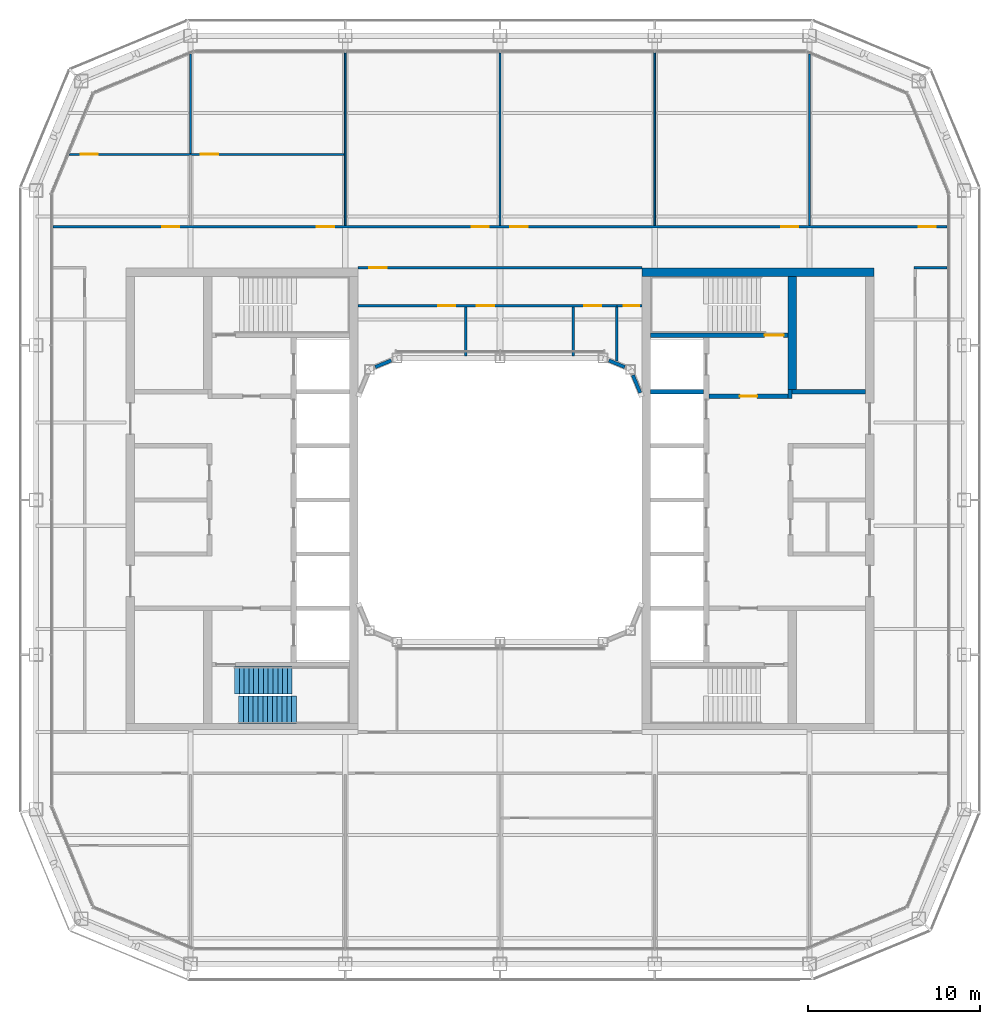
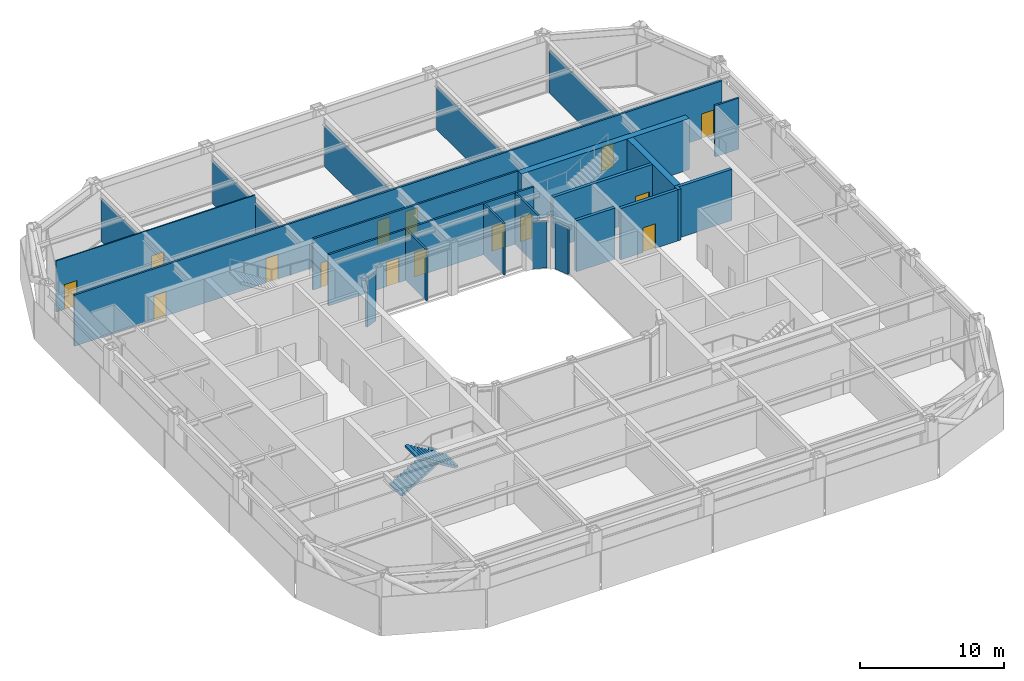
# One storey, part 14 of 19: 24 walls, 15 doors, 2 stair flights, 15 openings, 1 element without a shape of its own.
"""IFC4 building model written with IfcOpenShell, lengths in metres."""

import ifcopenshell
import ifcopenshell.guid

model = None  # the IFC model being written
_history = None  # IfcOwnerHistory: only IFC2X3 demands one
_inside = {}  # id of a spatial element -> (the spatial element, [elements in it])
_under = {}  # id of a project, library or spatial element -> (it, [spatial elements below it])
_declared = {}  # id of a project -> (the project, [libraries it declares])
_typed = {}  # id of a type object -> (the type object, [elements of that type])
_made_of = {}  # id of a material, layer set ... -> (it, [elements and type objects made of it])


def new_model(schema):
    """Start an empty IFC model of exactly this schema.

    Asked for "IFC4X3", IfcOpenShell would pick the latest addendum, in which some entities
    have other attributes; the version numbers below select the first issue.
    IFC2X3 requires an IfcOwnerHistory on every rooted entity: one is made here for all.
    """
    global model, _history
    if schema == "IFC4X3":
        model = ifcopenshell.file(schema_version=(4, 3, 0, 0))
    else:
        model = ifcopenshell.file(schema=schema)
    _inside.clear()
    _under.clear()
    _declared.clear()
    _typed.clear()
    _made_of.clear()
    _history = None
    if model.schema == "IFC2X3":
        org = make("IfcOrganization", Name="unknown")
        user = make(
            "IfcPersonAndOrganization",
            ThePerson=make("IfcPerson", FamilyName="unknown"),
            TheOrganization=org,
        )
        app = make(
            "IfcApplication",
            ApplicationDeveloper=org,
            Version="unknown",
            ApplicationFullName="unknown",
            ApplicationIdentifier="unknown",
        )
        _history = make(
            "IfcOwnerHistory",
            OwningUser=user,
            OwningApplication=app,
            ChangeAction="ADDED",
            CreationDate=0,
        )
    return model


def make(cls, **values):
    """One entity of the class cls with the attributes given. An attribute that is None is left unset."""
    return model.create_entity(
        cls, **{name: value for name, value in values.items() if value is not None}
    )


def rooted(cls, **values):
    """An entity with a GlobalId (a new one), such as an element, a storey or a relation."""
    return make(cls, GlobalId=ifcopenshell.guid.new(), OwnerHistory=_history, **values)


def si_unit(unit_type, name, prefix=None):
    """IfcSIUnit, for example si_unit("LENGTHUNIT", "METRE", prefix="MILLI")."""
    return make("IfcSIUnit", UnitType=unit_type, Prefix=prefix, Name=name)


def assignment(units):
    """IfcUnitAssignment: the units of a project."""
    return None if units is None else make("IfcUnitAssignment", Units=units)


def point(xyz):
    """IfcCartesianPoint."""
    return None if xyz is None else make("IfcCartesianPoint", Coordinates=xyz)


def direction(xyz):
    """IfcDirection."""
    return None if xyz is None else make("IfcDirection", DirectionRatios=xyz)


def frame(location, z_axis=None, x_axis=None):
    """IfcAxis2Placement3D, a coordinate frame: its origin and axes. An axis left out is left unset."""
    return make(
        "IfcAxis2Placement3D",
        Location=point(location),
        Axis=direction(z_axis),
        RefDirection=direction(x_axis),
    )


def frame_2d(location, x_axis=None):
    """IfcAxis2Placement2D, a coordinate frame in the plane: its origin and x axis."""
    return make(
        "IfcAxis2Placement2D", Location=point(location), RefDirection=direction(x_axis)
    )


def origin():
    """The frame at (0, 0, 0) with its axes left unset."""
    return frame((0.0, 0.0, 0.0))


def place(relative_to, where):
    """IfcLocalPlacement: puts the frame where relative to a parent placement (None: the world)."""
    return make(
        "IfcLocalPlacement", PlacementRelTo=relative_to, RelativePlacement=where
    )


def context(
    kind, dimensions, precision=None, world=None, true_north=None, identifier=None
):
    """IfcGeometricRepresentationContext, for example the 3D "Model" context."""
    return make(
        "IfcGeometricRepresentationContext",
        ContextIdentifier=identifier,
        ContextType=kind,
        CoordinateSpaceDimension=dimensions,
        Precision=precision,
        WorldCoordinateSystem=world,
        TrueNorth=true_north,
    )


def subcontext(parent, identifier, kind, view, scale=None):
    """IfcGeometricRepresentationSubContext, for example "Body" below "Model"."""
    return make(
        "IfcGeometricRepresentationSubContext",
        ContextIdentifier=identifier,
        ContextType=kind,
        ParentContext=parent,
        TargetScale=scale,
        TargetView=view,
    )


def project(units=None, contexts=None):
    """IfcProject with its units and contexts."""
    return rooted(
        "IfcProject",
        Name="project",
        RepresentationContexts=contexts,
        UnitsInContext=assignment(units),
    )


def spatial(cls, under=None, at=None, **own):
    """A site, building, storey or space (cls), placed at a placement, below another one or the project."""
    s = rooted(cls, ObjectPlacement=at, **own)
    if under is not None:
        _under.setdefault(under.id(), (under, []))[1].append(s)
    return s


def polyline(points):
    """IfcPolyline through the points."""
    return make("IfcPolyline", Points=[point(p) for p in points])


def profile(cls, at=None, kind="AREA", **sizes):
    """A parametric profile (cls). Its sizes go by their IFC names, for example OverallWidth=200.0."""
    return make(cls, ProfileType=kind, Position=at, **sizes)


def rectangle(**sizes):
    """IfcRectangleProfileDef."""
    return profile("IfcRectangleProfileDef", **sizes)


def outline(outer, holes=None, kind="AREA"):
    """IfcArbitraryClosedProfileDef: a profile drawn as a closed curve; with holes, ...WithVoids."""
    if holes is None:
        return make("IfcArbitraryClosedProfileDef", ProfileType=kind, OuterCurve=outer)
    return make(
        "IfcArbitraryProfileDefWithVoids",
        ProfileType=kind,
        OuterCurve=outer,
        InnerCurves=holes,
    )


def extrude(swept, where, along, depth):
    """IfcExtrudedAreaSolid: the profile swept, set in the frame where, extruded along a direction by depth."""
    return make(
        "IfcExtrudedAreaSolid",
        SweptArea=swept,
        Position=where,
        ExtrudedDirection=direction(along),
        Depth=depth,
    )


def shape(context_of_items, identifier, shape_type, items):
    """IfcShapeRepresentation: the items that make up one representation, for example the "Body"."""
    return make(
        "IfcShapeRepresentation",
        ContextOfItems=context_of_items,
        RepresentationIdentifier=identifier,
        RepresentationType=shape_type,
        Items=items,
    )


def material(Name=None, Category=None):
    """IfcMaterial."""
    return make("IfcMaterial", Name=Name, Category=Category)


def layer(
    of_material, thickness, ventilated=None, Name=None, Category=None, Priority=None
):
    """IfcMaterialLayer: one layer of a wall or slab, of a material (None: an air gap)."""
    return make(
        "IfcMaterialLayer",
        Material=of_material,
        LayerThickness=thickness,
        IsVentilated=ventilated,
        Name=Name,
        Category=Category,
        Priority=Priority,
    )


def layer_set(layers, Name=None):
    """IfcMaterialLayerSet."""
    return make("IfcMaterialLayerSet", MaterialLayers=layers, LayerSetName=Name)


def made_of(thing, what):
    """Note that an element or type object is made of a material, layer set ...; save() writes the relation."""
    if what is not None:
        _made_of.setdefault(what.id(), (what, []))[1].append(thing)
    return thing


def type_object(cls, material=None, **own):
    """A type object (cls), such as IfcWallType, which elements share."""
    return made_of(rooted(cls, **own), material)


def element(
    cls,
    number,
    at=None,
    inside=None,
    cuts=None,
    type_object=None,
    material=None,
    context=None,
    identifier="Body",
    shape_type=None,
    held_by="IfcProductDefinitionShape",
    body=None,
    shapes=None,
    **own,
):
    """One element of the class cls, such as IfcWall. Its Tag is "e" and its number.

    at: its placement. inside: the storey or other place that contains it. cuts: it is an
    opening in that element (IfcRelVoidsElement). A single representation is given by context,
    identifier, shape_type and body (its items); several are given by shapes. held_by: the class
    of the entity that holds the representations. save() writes the other relations.
    """
    e = rooted(cls, Tag="e%d" % number, ObjectPlacement=at, **own)
    if body is not None:
        shapes = [shape(context, identifier, shape_type, body)]
    if shapes is not None:
        e.Representation = make(held_by, Representations=shapes)
    if inside is not None:
        _inside.setdefault(inside.id(), (inside, []))[1].append(e)
    if cuts is not None:
        rooted(
            "IfcRelVoidsElement", RelatingBuildingElement=cuts, RelatedOpeningElement=e
        )
    if type_object is not None:
        _typed.setdefault(type_object.id(), (type_object, []))[1].append(e)
    return made_of(e, material)


def fill(opening, filler):
    """IfcRelFillsElement: the door or window that sits in an opening."""
    return rooted(
        "IfcRelFillsElement",
        RelatingOpeningElement=opening,
        RelatedBuildingElement=filler,
    )


def aggregate(whole, parts):
    """IfcRelAggregates: a whole, such as a stair, and the parts it consists of."""
    return rooted("IfcRelAggregates", RelatingObject=whole, RelatedObjects=parts)


def save(model, path):
    """Write the relations noted so far, then the file.

    IfcRelAggregates (storeys below a building ...), IfcRelContainedInSpatialStructure (elements
    in a storey), IfcRelDefinesByType, IfcRelAssociatesMaterial and IfcRelDeclares: one each for
    every whole, place, type object, material and project.
    """
    for whole, parts in _under.values():
        aggregate(whole, parts)
    for where, things in _inside.values():
        rooted(
            "IfcRelContainedInSpatialStructure",
            RelatedElements=things,
            RelatingStructure=where,
        )
    for kind, things in _typed.values():
        rooted("IfcRelDefinesByType", RelatedObjects=things, RelatingType=kind)
    for what, things in _made_of.values():
        rooted("IfcRelAssociatesMaterial", RelatedObjects=things, RelatingMaterial=what)
    for by, libraries in _declared.values():
        rooted("IfcRelDeclares", RelatingContext=by, RelatedDefinitions=libraries)
    model.write(path)


model = new_model("IFC4")

# Units and contexts
model_context = context("Model", 3, precision=1e-05, world=origin(), true_north=direction((0.0, 1.0)))
body_context = subcontext(model_context, "Body", "Model", "MODEL_VIEW")
ifc_project = project(units=[si_unit("LENGTHUNIT", "METRE"), si_unit("AREAUNIT", "SQUARE_METRE"), si_unit("VOLUMEUNIT", "CUBIC_METRE"), si_unit("PLANEANGLEUNIT", "RADIAN"), si_unit("MASSUNIT", "GRAM", prefix="KILO")], contexts=[model_context])

# Site, building, storey
site_placement = place(None, origin())
site = spatial("IfcSite", under=ifc_project, at=site_placement, CompositionType="ELEMENT")
building_placement = place(site_placement, origin())
building = spatial("IfcBuilding", under=site, at=building_placement, Name="Siwar Civic Tower", CompositionType="ELEMENT")
storey_placement = place(building_placement, frame((0.0, 0.0, 246.699951171875)))
storey = spatial("IfcBuildingStorey", under=building, at=storey_placement, Name="L53", CompositionType="ELEMENT", Elevation=246.699951171875)

# Wall, opening, door
ifc_material_1 = material(Name="Gypsum board on steel studs", Category="steel")
ifc_layer_1 = layer(ifc_material_1, 0.14990234375)
ifc_layer_set_1 = layer_set([ifc_layer_1], Name="Gypsum board on steel studs")
wall_type_1 = type_object("IfcWallType", Name="COMPARTMENT PARTITION 150 EI 60", PredefinedType="PARTITIONING", material=ifc_layer_set_1)
wall_1_placement = place(storey_placement, frame((6.800048828125, 11.300048828125, 0.0), z_axis=(0.0, 0.0, 1.0), x_axis=(1.0, 0.0, 0.0)))
wall_1 = element("IfcWall", 1, at=wall_1_placement, inside=storey, type_object=wall_type_1, Name="L53/wall/P08", PredefinedType="PARTITIONING", context=body_context, shape_type="SweptSolid", body=[
    extrude(rectangle(XDim=1.449951171875, YDim=0.14990234375, at=frame_2d((0.72509765625, 0.0))), origin(), (0.0, 0.0, 1.0), 4.35009765625),
])
opening_1_placement = place(wall_1_placement, frame((0.39990234375, 0.0, 0.0)))
opening_1 = element("IfcOpeningElement", 2, at=opening_1_placement, cuts=wall_1, Name="Opening D4", PredefinedType="OPENING", context=body_context, shape_type="SweptSolid", body=[
    extrude(rectangle(XDim=0.89990234375, YDim=2.10009765625, at=frame_2d((0.449951171875, 1.050048828125))), frame((0.0, 0.0849609375, 0.0), z_axis=(0.0, -1.0, 0.0), x_axis=(1.0, 0.0, 0.0)), (0.0, 0.0, 1.0), 0.169921875),
])
ifc_material_2 = material(Name="Timber, painted", Category="wood")
door_type_1 = type_object("IfcDoorType", Name="DOOR 900 X 2100 FD60", OperationType="SINGLE_SWING_LEFT", PredefinedType="DOOR", material=ifc_material_2)
door_1_placement = place(opening_1_placement, origin())
door_1 = element("IfcDoor", 3, at=door_1_placement, inside=storey, type_object=door_type_1, Name="L53-D23", OperationType="SINGLE_SWING_LEFT", OverallHeight=2.10009765625, OverallWidth=0.89990234375, PredefinedType="DOOR", context=body_context, shape_type="SweptSolid", body=[
    extrude(rectangle(XDim=0.89990234375, YDim=2.10009765625, at=frame_2d((0.449951171875, 1.050048828125))), frame((0.0, 0.02490234375, 0.0), z_axis=(0.0, -1.0, 0.0), x_axis=(1.0, 0.0, 0.0)), (0.0, 0.0, 1.0), 0.050048828125),
])
fill(opening_1, door_1)

# Wall
wall_2_placement = place(storey_placement, frame((6.800048828125, 8.069091796875, 0.0), z_axis=(0.0, 0.0, 1.0), x_axis=(0.0, 1.0, 0.0)))
element("IfcWall", 4, at=wall_2_placement, inside=storey, type_object=wall_type_1, Name="L53/wall/P25", PredefinedType="PARTITIONING", context=body_context, shape_type="SweptSolid", body=[
    extrude(rectangle(XDim=3.156005859375, YDim=0.14990234375, at=frame_2d((1.578125, 0.0))), origin(), (0.0, 0.0, 1.0), 4.35009765625),
])

# Wall, opening, door
ifc_material_3 = material(Name="Concrete C60/75", Category="concrete")
ifc_layer_2 = layer(ifc_material_3, 0.25)
ifc_layer_set_2 = layer_set([ifc_layer_2], Name="Concrete C60/75")
wall_type_2 = type_object("IfcWallType", Name="CORE-WALL-RC250", PredefinedType="SHEAR", material=ifc_layer_set_2)
wall_3_placement = place(storey_placement, frame((12.14990234375, 6.02490234375, 0.0), z_axis=(0.0, 0.0, 1.0), x_axis=(1.0, 0.0, 0.0)))
wall_3 = element("IfcWall", 5, at=wall_3_placement, inside=storey, type_object=wall_type_2, Name="Core wall E", PredefinedType="SHEAR", context=body_context, shape_type="SweptSolid", body=[
    extrude(rectangle(XDim=4.60009765625, YDim=0.25, at=frame_2d((2.300048828125, 0.0))), origin(), (0.0, 0.0, 1.0), 4.35009765625),
])
opening_2_placement = place(wall_3_placement, frame((1.800048828125, 0.0, 0.0)))
opening_2 = element("IfcOpeningElement", 6, at=opening_2_placement, cuts=wall_3, Name="Opening L53-CE01", PredefinedType="OPENING", context=body_context, shape_type="SweptSolid", body=[
    extrude(rectangle(XDim=1.0, YDim=2.10009765625, at=frame_2d((0.5, 1.050048828125))), frame((0.0, 0.135009765625, 0.0), z_axis=(0.0, -1.0, 0.0), x_axis=(1.0, 0.0, 0.0)), (0.0, 0.0, 1.0), 0.27001953125),
])
ifc_material_4 = material(Name="Steel door leaf", Category="steel")
door_type_2 = type_object("IfcDoorType", Name="CORE-DOOR-FD30S", OperationType="SINGLE_SWING_LEFT", PredefinedType="DOOR", material=ifc_material_4)
door_2_placement = place(opening_2_placement, origin())
door_2 = element("IfcDoor", 7, at=door_2_placement, inside=storey, type_object=door_type_2, Name="Firefighting lobby door L53-CE01", OperationType="SINGLE_SWING_RIGHT", OverallHeight=2.10009765625, OverallWidth=1.0, PredefinedType="DOOR", context=body_context, shape_type="SweptSolid", body=[
    extrude(rectangle(XDim=1.0, YDim=2.10009765625, at=frame_2d((0.5, 1.050048828125))), frame((0.0, 0.02490234375, 0.0), z_axis=(0.0, -1.0, 0.0), x_axis=(1.0, 0.0, 0.0)), (0.0, 0.0, 1.0), 0.050048828125),
])
fill(opening_2, door_2)

# Walls
wall_4_placement = place(storey_placement, frame((16.875, 5.89990234375, 0.0), z_axis=(0.0, 0.0, 1.0), x_axis=(0.0, 1.0, 0.0)))
element("IfcWall", 8, at=wall_4_placement, inside=storey, type_object=wall_type_2, Name="Core wall E", PredefinedType="SHEAR", context=body_context, shape_type="SweptSolid", body=[
    extrude(rectangle(XDim=0.525146484375, YDim=0.25, at=frame_2d((0.2626953125, 0.0))), origin(), (0.0, 0.0, 1.0), 4.35009765625),
])
wall_5_placement = place(storey_placement, frame((17.0, 6.300048828125, 0.0), z_axis=(0.0, 0.0, 1.0), x_axis=(1.0, 0.0, 0.0)))
element("IfcWall", 9, at=wall_5_placement, inside=storey, type_object=wall_type_2, Name="Core wall E", PredefinedType="SHEAR", context=body_context, shape_type="SweptSolid", body=[
    extrude(rectangle(XDim=4.25, YDim=0.25, at=frame_2d((2.125, 0.0))), origin(), (0.0, 0.0, 1.0), 4.35009765625),
])
wall_6_placement = place(storey_placement, frame((8.75, 6.300048828125, 0.0), z_axis=(0.0, 0.0, 1.0), x_axis=(1.0, 0.0, 0.0)))
element("IfcWall", 10, at=wall_6_placement, inside=storey, type_object=wall_type_2, Name="Core wall E", PredefinedType="SHEAR", context=body_context, shape_type="SweptSolid", body=[
    extrude(rectangle(XDim=3.10009765625, YDim=0.25, at=frame_2d((1.550048828125, 0.0))), origin(), (0.0, 0.0, 1.0), 4.35009765625),
])

# Wall, opening, door
wall_7_placement = place(storey_placement, frame((8.75, 9.574951171875, 0.0), z_axis=(0.0, 0.0, 1.0), x_axis=(1.0, 0.0, 0.0)))
wall_7 = element("IfcWall", 11, at=wall_7_placement, inside=storey, type_object=wall_type_2, Name="Core wall E", PredefinedType="SHEAR", context=body_context, shape_type="SweptSolid", body=[
    extrude(rectangle(XDim=8.0, YDim=0.25, at=frame_2d((4.0, 0.0))), origin(), (0.0, 0.0, 1.0), 4.35009765625),
])
opening_3_placement = place(wall_7_placement, frame((6.64990234375, 0.0, 0.0)))
opening_3 = element("IfcOpeningElement", 12, at=opening_3_placement, cuts=wall_7, Name="Opening L53-CE03", PredefinedType="OPENING", context=body_context, shape_type="SweptSolid", body=[
    extrude(rectangle(XDim=1.10009765625, YDim=2.10009765625, at=frame_2d((0.550048828125, 1.050048828125))), frame((0.0, 0.135009765625, 0.0), z_axis=(0.0, -1.0, 0.0), x_axis=(1.0, 0.0, 0.0)), (0.0, 0.0, 1.0), 0.27001953125),
])
ifc_material_5 = material(Name="Steel door leaf", Category="steel")
door_type_3 = type_object("IfcDoorType", Name="CORE-DOOR-FD60S", OperationType="SINGLE_SWING_LEFT", PredefinedType="DOOR", material=ifc_material_5)
door_3_placement = place(opening_3_placement, origin())
door_3 = element("IfcDoor", 13, at=door_3_placement, inside=storey, type_object=door_type_3, Name="Stair door L53-CE03", OperationType="SINGLE_SWING_LEFT", OverallHeight=2.10009765625, OverallWidth=1.10009765625, PredefinedType="DOOR", context=body_context, shape_type="SweptSolid", body=[
    extrude(rectangle(XDim=1.10009765625, YDim=2.10009765625, at=frame_2d((0.550048828125, 1.050048828125))), frame((0.0, 0.02490234375, 0.0), z_axis=(0.0, -1.0, 0.0), x_axis=(1.0, 0.0, 0.0)), (0.0, 0.0, 1.0), 0.050048828125),
])
fill(opening_3, door_3)

# Walls
ifc_material_6 = material(Name="Concrete C60/75", Category="concrete")
ifc_layer_3 = layer(ifc_material_6, 0.5)
ifc_layer_set_3 = layer_set([ifc_layer_3], Name="Concrete C60/75")
wall_type_3 = type_object("IfcWallType", Name="CORE-WALL-RC500", PredefinedType="SHEAR", material=ifc_layer_set_3)
wall_8_placement = place(storey_placement, frame((17.0, 6.425048828125, 0.0), z_axis=(0.0, 0.0, 1.0), x_axis=(0.0, 1.0, 0.0)))
element("IfcWall", 14, at=wall_8_placement, inside=storey, type_object=wall_type_3, Name="Core wall E", PredefinedType="SHEAR", context=body_context, shape_type="SweptSolid", body=[
    extrude(rectangle(XDim=6.574951171875, YDim=0.5, at=frame_2d((3.28759765625, 0.0))), origin(), (0.0, 0.0, 1.0), 4.35009765625),
])
wall_9_placement = place(storey_placement, frame((8.25, 13.25, 0.0), z_axis=(0.0, 0.0, 1.0), x_axis=(1.0, 0.0, 0.0)))
element("IfcWall", 15, at=wall_9_placement, inside=storey, type_object=wall_type_3, Name="Core wall E", PredefinedType="SHEAR", context=body_context, shape_type="SweptSolid", body=[
    extrude(rectangle(XDim=13.5, YDim=0.5, at=frame_2d((6.75, 0.0))), origin(), (0.0, 0.0, 1.0), 4.35009765625),
])

# Wall, openings, doors
ifc_material_7 = material(Name="Gypsum board on steel studs", Category="steel")
ifc_layer_4 = layer(ifc_material_7, 0.14990234375)
ifc_layer_set_4 = layer_set([ifc_layer_4], Name="Gypsum board on steel studs")
wall_type_4 = type_object("IfcWallType", Name="CORRIDOR PARTITION 150 EI 30", PredefinedType="PARTITIONING", material=ifc_layer_set_4)
wall_10_placement = place(storey_placement, frame((-8.25, 11.300048828125, 0.0), z_axis=(0.0, 0.0, 1.0), x_axis=(1.0, 0.0, 0.0)))
wall_10 = element("IfcWall", 16, at=wall_10_placement, inside=storey, type_object=wall_type_4, Name="L53/wall/P07", PredefinedType="PARTITIONING", context=body_context, shape_type="SweptSolid", body=[
    extrude(rectangle(XDim=15.050048828125, YDim=0.14990234375, at=frame_2d((7.52490234375, 0.0))), origin(), (0.0, 0.0, 1.0), 4.35009765625),
])
opening_4_placement = place(wall_10_placement, frame((4.64990234375, 0.0, 0.0)))
opening_4 = element("IfcOpeningElement", 17, at=opening_4_placement, cuts=wall_10, Name="Opening D3", PredefinedType="OPENING", context=body_context, shape_type="SweptSolid", body=[
    extrude(rectangle(XDim=1.0, YDim=2.10009765625, at=frame_2d((0.5, 1.050048828125))), frame((0.0, 0.0849609375, 0.0), z_axis=(0.0, -1.0, 0.0), x_axis=(1.0, 0.0, 0.0)), (0.0, 0.0, 1.0), 0.169921875),
])
opening_5_placement = place(wall_10_placement, frame((6.89990234375, 0.0, 0.0)))
opening_5 = element("IfcOpeningElement", 18, at=opening_5_placement, cuts=wall_10, Name="Opening D3", PredefinedType="OPENING", context=body_context, shape_type="SweptSolid", body=[
    extrude(rectangle(XDim=1.0, YDim=2.10009765625, at=frame_2d((0.5, 1.050048828125))), frame((0.0, 0.0849609375, 0.0), z_axis=(0.0, -1.0, 0.0), x_axis=(1.0, 0.0, 0.0)), (0.0, 0.0, 1.0), 0.169921875),
])
opening_6_placement = place(wall_10_placement, frame((13.14990234375, 0.0, 0.0)))
opening_6 = element("IfcOpeningElement", 19, at=opening_6_placement, cuts=wall_10, Name="Opening D3", PredefinedType="OPENING", context=body_context, shape_type="SweptSolid", body=[
    extrude(rectangle(XDim=1.0, YDim=2.10009765625, at=frame_2d((0.5, 1.050048828125))), frame((0.0, 0.0849609375, 0.0), z_axis=(0.0, -1.0, 0.0), x_axis=(1.0, 0.0, 0.0)), (0.0, 0.0, 1.0), 0.169921875),
])
ifc_material_8 = material(Name="Timber, painted", Category="wood")
door_type_4 = type_object("IfcDoorType", Name="DOOR 1000 X 2100 WC", OperationType="SINGLE_SWING_LEFT", PredefinedType="DOOR", material=ifc_material_8)
door_4_placement = place(opening_4_placement, origin())
door_4 = element("IfcDoor", 20, at=door_4_placement, inside=storey, type_object=door_type_4, Name="L53-D20", OperationType="SINGLE_SWING_RIGHT", OverallHeight=2.10009765625, OverallWidth=1.0, PredefinedType="DOOR", context=body_context, shape_type="SweptSolid", body=[
    extrude(rectangle(XDim=1.0, YDim=2.10009765625, at=frame_2d((0.5, 1.050048828125))), frame((0.0, 0.02490234375, 0.0), z_axis=(0.0, -1.0, 0.0), x_axis=(1.0, 0.0, 0.0)), (0.0, 0.0, 1.0), 0.050048828125),
])
fill(opening_4, door_4)
door_5_placement = place(opening_5_placement, origin())
door_5 = element("IfcDoor", 21, at=door_5_placement, inside=storey, type_object=door_type_4, Name="L53-D21", OperationType="SINGLE_SWING_LEFT", OverallHeight=2.10009765625, OverallWidth=1.0, PredefinedType="DOOR", context=body_context, shape_type="SweptSolid", body=[
    extrude(rectangle(XDim=1.0, YDim=2.10009765625, at=frame_2d((0.5, 1.050048828125))), frame((0.0, 0.02490234375, 0.0), z_axis=(0.0, -1.0, 0.0), x_axis=(1.0, 0.0, 0.0)), (0.0, 0.0, 1.0), 0.050048828125),
])
fill(opening_5, door_5)
door_6_placement = place(opening_6_placement, origin())
door_6 = element("IfcDoor", 22, at=door_6_placement, inside=storey, type_object=door_type_4, Name="L53-D22", OperationType="SINGLE_SWING_RIGHT", OverallHeight=2.10009765625, OverallWidth=1.0, PredefinedType="DOOR", context=body_context, shape_type="SweptSolid", body=[
    extrude(rectangle(XDim=1.0, YDim=2.10009765625, at=frame_2d((0.5, 1.050048828125))), frame((0.0, 0.02490234375, 0.0), z_axis=(0.0, -1.0, 0.0), x_axis=(1.0, 0.0, 0.0)), (0.0, 0.0, 1.0), 0.050048828125),
])
fill(opening_6, door_6)

# Wall, opening, door
wall_11_placement = place(storey_placement, frame((-8.25, 13.5, 0.0), z_axis=(0.0, 0.0, 1.0), x_axis=(1.0, 0.0, 0.0)))
wall_11 = element("IfcWall", 23, at=wall_11_placement, inside=storey, type_object=wall_type_4, Name="L53/wall/P10", PredefinedType="PARTITIONING", context=body_context, shape_type="SweptSolid", body=[
    extrude(rectangle(XDim=16.5, YDim=0.14990234375, at=frame_2d((8.25, 0.0))), origin(), (0.0, 0.0, 1.0), 4.35009765625),
])
opening_7_placement = place(wall_11_placement, frame((0.64990234375, 0.0, 0.0)))
opening_7 = element("IfcOpeningElement", 24, at=opening_7_placement, cuts=wall_11, Name="Opening D1", PredefinedType="OPENING", context=body_context, shape_type="SweptSolid", body=[
    extrude(rectangle(XDim=1.0, YDim=2.10009765625, at=frame_2d((0.5, 1.050048828125))), frame((0.0, 0.0849609375, 0.0), z_axis=(0.0, -1.0, 0.0), x_axis=(1.0, 0.0, 0.0)), (0.0, 0.0, 1.0), 0.169921875),
])
ifc_material_9 = material(Name="Timber, painted", Category="wood")
door_type_5 = type_object("IfcDoorType", Name="DOOR 1000 X 2100 FD30", OperationType="SINGLE_SWING_LEFT", PredefinedType="DOOR", material=ifc_material_9)
door_7_placement = place(opening_7_placement, origin())
door_7 = element("IfcDoor", 25, at=door_7_placement, inside=storey, type_object=door_type_5, Name="L53-D19", OperationType="SINGLE_SWING_LEFT", OverallHeight=2.10009765625, OverallWidth=1.0, PredefinedType="DOOR", context=body_context, shape_type="SweptSolid", body=[
    extrude(rectangle(XDim=1.0, YDim=2.10009765625, at=frame_2d((0.5, 1.050048828125))), frame((0.0, 0.02490234375, 0.0), z_axis=(0.0, -1.0, 0.0), x_axis=(1.0, 0.0, 0.0)), (0.0, 0.0, 1.0), 0.050048828125),
])
fill(opening_7, door_7)

# Wall
wall_12_placement = place(storey_placement, frame((24.074951171875, 13.5, 0.0), z_axis=(0.0, 0.0, 1.0), x_axis=(1.0, 0.0, 0.0)))
element("IfcWall", 26, at=wall_12_placement, inside=storey, type_object=wall_type_4, Name="L53/wall/P11", PredefinedType="PARTITIONING", context=body_context, shape_type="SweptSolid", body=[
    extrude(rectangle(XDim=1.93505859375, YDim=0.14990234375, at=frame_2d((0.967529296875, 0.0))), origin(), (0.0, 0.0, 1.0), 4.35009765625),
])

# Wall, openings, doors
wall_13_placement = place(storey_placement, frame((-26.010009765625, 15.89990234375, 0.0), z_axis=(0.0, 0.0, 1.0), x_axis=(1.0, 0.0, 0.0)))
wall_13 = element("IfcWall", 27, at=wall_13_placement, inside=storey, type_object=wall_type_4, Name="L53/wall/P12", PredefinedType="PARTITIONING", context=body_context, shape_type="SweptSolid", body=[
    extrude(rectangle(XDim=52.02001953125, YDim=0.14990234375, at=frame_2d((26.010009765625, 0.0))), origin(), (0.0, 0.0, 1.0), 4.35009765625),
])
opening_8_placement = place(wall_13_placement, frame((15.360107421875, 0.0, 0.0)))
opening_8 = element("IfcOpeningElement", 28, at=opening_8_placement, cuts=wall_13, Name="Opening D1", PredefinedType="OPENING", context=body_context, shape_type="SweptSolid", body=[
    extrude(rectangle(XDim=1.0, YDim=2.10009765625, at=frame_2d((0.5, 1.050048828125))), frame((0.0, 0.0849609375, 0.0), z_axis=(0.0, -1.0, 0.0), x_axis=(1.0, 0.0, 0.0)), (0.0, 0.0, 1.0), 0.169921875),
])
opening_9_placement = place(wall_13_placement, frame((24.360107421875, 0.0, 0.0)))
opening_9 = element("IfcOpeningElement", 29, at=opening_9_placement, cuts=wall_13, Name="Opening D1", PredefinedType="OPENING", context=body_context, shape_type="SweptSolid", body=[
    extrude(rectangle(XDim=1.0, YDim=2.10009765625, at=frame_2d((0.5, 1.050048828125))), frame((0.0, 0.0849609375, 0.0), z_axis=(0.0, -1.0, 0.0), x_axis=(1.0, 0.0, 0.0)), (0.0, 0.0, 1.0), 0.169921875),
])
opening_10_placement = place(wall_13_placement, frame((26.610107421875, 0.0, 0.0)))
opening_10 = element("IfcOpeningElement", 30, at=opening_10_placement, cuts=wall_13, Name="Opening D1", PredefinedType="OPENING", context=body_context, shape_type="SweptSolid", body=[
    extrude(rectangle(XDim=1.0, YDim=2.10009765625, at=frame_2d((0.5, 1.050048828125))), frame((0.0, 0.0849609375, 0.0), z_axis=(0.0, -1.0, 0.0), x_axis=(1.0, 0.0, 0.0)), (0.0, 0.0, 1.0), 0.169921875),
])
opening_11_placement = place(wall_13_placement, frame((42.360107421875, 0.0, 0.0)))
opening_11 = element("IfcOpeningElement", 31, at=opening_11_placement, cuts=wall_13, Name="Opening D1", PredefinedType="OPENING", context=body_context, shape_type="SweptSolid", body=[
    extrude(rectangle(XDim=1.0, YDim=2.10009765625, at=frame_2d((0.5, 1.050048828125))), frame((0.0, 0.0849609375, 0.0), z_axis=(0.0, -1.0, 0.0), x_axis=(1.0, 0.0, 0.0)), (0.0, 0.0, 1.0), 0.169921875),
])
opening_12_placement = place(wall_13_placement, frame((6.360107421875, 0.0, 0.0)))
opening_12 = element("IfcOpeningElement", 32, at=opening_12_placement, cuts=wall_13, Name="Opening D1", PredefinedType="OPENING", context=body_context, shape_type="SweptSolid", body=[
    extrude(rectangle(XDim=1.0, YDim=2.10009765625, at=frame_2d((0.5, 1.050048828125))), frame((0.0, 0.0849609375, 0.0), z_axis=(0.0, -1.0, 0.0), x_axis=(1.0, 0.0, 0.0)), (0.0, 0.0, 1.0), 0.169921875),
])
opening_13_placement = place(wall_13_placement, frame((50.3701171875, 0.0, 0.0)))
opening_13 = element("IfcOpeningElement", 33, at=opening_13_placement, cuts=wall_13, Name="Opening D1", PredefinedType="OPENING", context=body_context, shape_type="SweptSolid", body=[
    extrude(rectangle(XDim=1.0, YDim=2.10009765625, at=frame_2d((0.5, 1.050048828125))), frame((0.0, 0.0849609375, 0.0), z_axis=(0.0, -1.0, 0.0), x_axis=(1.0, 0.0, 0.0)), (0.0, 0.0, 1.0), 0.169921875),
])
door_8_placement = place(opening_8_placement, origin())
door_8 = element("IfcDoor", 34, at=door_8_placement, inside=storey, type_object=door_type_5, Name="L53-D01", OperationType="SINGLE_SWING_LEFT", OverallHeight=2.10009765625, OverallWidth=1.0, PredefinedType="DOOR", context=body_context, shape_type="SweptSolid", body=[
    extrude(rectangle(XDim=1.0, YDim=2.10009765625, at=frame_2d((0.5, 1.050048828125))), frame((0.0, 0.02490234375, 0.0), z_axis=(0.0, -1.0, 0.0), x_axis=(1.0, 0.0, 0.0)), (0.0, 0.0, 1.0), 0.050048828125),
])
fill(opening_8, door_8)
door_9_placement = place(opening_9_placement, origin())
door_9 = element("IfcDoor", 35, at=door_9_placement, inside=storey, type_object=door_type_5, Name="L53-D03", OperationType="SINGLE_SWING_LEFT", OverallHeight=2.10009765625, OverallWidth=1.0, PredefinedType="DOOR", context=body_context, shape_type="SweptSolid", body=[
    extrude(rectangle(XDim=1.0, YDim=2.10009765625, at=frame_2d((0.5, 1.050048828125))), frame((0.0, 0.02490234375, 0.0), z_axis=(0.0, -1.0, 0.0), x_axis=(1.0, 0.0, 0.0)), (0.0, 0.0, 1.0), 0.050048828125),
])
fill(opening_9, door_9)
door_10_placement = place(opening_10_placement, origin())
door_10 = element("IfcDoor", 36, at=door_10_placement, inside=storey, type_object=door_type_5, Name="L53-D04", OperationType="SINGLE_SWING_RIGHT", OverallHeight=2.10009765625, OverallWidth=1.0, PredefinedType="DOOR", context=body_context, shape_type="SweptSolid", body=[
    extrude(rectangle(XDim=1.0, YDim=2.10009765625, at=frame_2d((0.5, 1.050048828125))), frame((0.0, 0.02490234375, 0.0), z_axis=(0.0, -1.0, 0.0), x_axis=(1.0, 0.0, 0.0)), (0.0, 0.0, 1.0), 0.050048828125),
])
fill(opening_10, door_10)
door_11_placement = place(opening_11_placement, origin())
door_11 = element("IfcDoor", 37, at=door_11_placement, inside=storey, type_object=door_type_5, Name="L53-D05", OperationType="SINGLE_SWING_LEFT", OverallHeight=2.10009765625, OverallWidth=1.0, PredefinedType="DOOR", context=body_context, shape_type="SweptSolid", body=[
    extrude(rectangle(XDim=1.0, YDim=2.10009765625, at=frame_2d((0.5, 1.050048828125))), frame((0.0, 0.02490234375, 0.0), z_axis=(0.0, -1.0, 0.0), x_axis=(1.0, 0.0, 0.0)), (0.0, 0.0, 1.0), 0.050048828125),
])
fill(opening_11, door_11)
door_12_placement = place(opening_12_placement, origin())
door_12 = element("IfcDoor", 38, at=door_12_placement, inside=storey, type_object=door_type_5, Name="L53-D11", OperationType="SINGLE_SWING_LEFT", OverallHeight=2.10009765625, OverallWidth=1.0, PredefinedType="DOOR", context=body_context, shape_type="SweptSolid", body=[
    extrude(rectangle(XDim=1.0, YDim=2.10009765625, at=frame_2d((0.5, 1.050048828125))), frame((0.0, 0.02490234375, 0.0), z_axis=(0.0, -1.0, 0.0), x_axis=(1.0, 0.0, 0.0)), (0.0, 0.0, 1.0), 0.050048828125),
])
fill(opening_12, door_12)
door_13_placement = place(opening_13_placement, origin())
door_13 = element("IfcDoor", 39, at=door_13_placement, inside=storey, type_object=door_type_5, Name="L53-D13", OperationType="SINGLE_SWING_LEFT", OverallHeight=2.10009765625, OverallWidth=1.0, PredefinedType="DOOR", context=body_context, shape_type="SweptSolid", body=[
    extrude(rectangle(XDim=1.0, YDim=2.10009765625, at=frame_2d((0.5, 1.050048828125))), frame((0.0, 0.02490234375, 0.0), z_axis=(0.0, -1.0, 0.0), x_axis=(1.0, 0.0, 0.0)), (0.0, 0.0, 1.0), 0.050048828125),
])
fill(opening_13, door_13)

# Walls
for number, where, z_axis, x_axis, name in (
    (40, (-2.0, 8.3701171875, 0.0), (0.0, 0.0, 1.0), (0.0, 1.0, 0.0), "L53/wall/P21"),
    (41, (4.25, 8.3701171875, 0.0), (0.0, 0.0, 1.0), (0.0, 1.0, 0.0), "L53/wall/P24"),
):
    element("IfcWall", number, at=place(storey_placement, frame(where, z_axis=z_axis, x_axis=x_axis)), inside=storey, type_object=wall_type_4, Name=name, PredefinedType="PARTITIONING", context=body_context, shape_type="SweptSolid", body=[
        extrude(rectangle(XDim=2.85498046875, YDim=0.14990234375, at=frame_2d((1.427490234375, 0.0))), origin(), (0.0, 0.0, 1.0), 4.35009765625),
    ])
ifc_material_10 = material(Name="Aluminium clad insulated panel", Category="aluminium")
ifc_layer_5 = layer(ifc_material_10, 0.199951171875)
ifc_layer_set_5 = layer_set([ifc_layer_5], Name="Aluminium clad insulated panel")
wall_type_5 = type_object("IfcWallType", Name="ENV-WALL-WELL", PredefinedType="STANDARD", material=ifc_layer_set_5)
wall_14_placement = place(storey_placement, frame((8.154296875, 6.23095703125, 0.0), z_axis=(0.0, 0.0, 1.0), x_axis=(-0.382635994082, 0.923899180665, 0.0)))
element("IfcWall", 42, at=wall_14_placement, inside=storey, type_object=wall_type_5, Name="Light well corner wall NE1", PredefinedType="STANDARD", context=body_context, shape_type="SweptSolid", body=[
    extrude(rectangle(XDim=1.11279296875, YDim=0.199951171875, at=frame_2d((0.556396484375, 0.0))), origin(), (0.0, 0.0, 1.0), 3.91796875),
])
for number, where, z_axis, x_axis, name in (
    (43, (7.259033203125, 7.728515625, 0.0), (0.0, 0.0, 1.0), (-0.923859650767, 0.382731427616, 0.0), "Light well corner wall NE2"),
    (44, (-6.33203125, 8.112548828125, 0.0), (0.0, 0.0, 1.0), (-0.923859650767, -0.382731427616, 0.0), "Light well corner wall NW1"),
):
    element("IfcWall", number, at=place(storey_placement, frame(where, z_axis=z_axis, x_axis=x_axis)), inside=storey, type_object=wall_type_5, Name=name, PredefinedType="STANDARD", context=body_context, shape_type="SweptSolid", body=[
        extrude(rectangle(XDim=1.00341796875, YDim=0.199951171875, at=frame_2d((0.501708984375, 0.0))), origin(), (0.0, 0.0, 1.0), 3.91796875),
    ])

# Wall, openings, doors
ifc_material_11 = material(Name="Gypsum board on steel studs", Category="steel")
ifc_layer_6 = layer(ifc_material_11, 0.10009765625)
ifc_layer_set_6 = layer_set([ifc_layer_6], Name="Gypsum board on steel studs")
wall_type_6 = type_object("IfcWallType", Name="PARTITION 100 GYPSUM", PredefinedType="PARTITIONING", material=ifc_layer_set_6)
wall_15_placement = place(storey_placement, frame((-25.05810546875, 20.10009765625, 0.0), z_axis=(0.0, 0.0, 1.0), x_axis=(1.0, 0.0, 0.0)))
wall_15 = element("IfcWall", 45, at=wall_15_placement, inside=storey, type_object=wall_type_6, Name="L53/wall/P13", PredefinedType="PARTITIONING", context=body_context, shape_type="SweptSolid", body=[
    extrude(rectangle(XDim=16.008056640625, YDim=0.10009765625, at=frame_2d((8.00390625, 0.0))), origin(), (0.0, 0.0, 1.0), 4.35009765625),
])
opening_14_placement = place(wall_15_placement, frame((7.657958984375, 0.0, 0.0)))
opening_14 = element("IfcOpeningElement", 46, at=opening_14_placement, cuts=wall_15, Name="Opening D2", PredefinedType="OPENING", context=body_context, shape_type="SweptSolid", body=[
    extrude(rectangle(XDim=1.0, YDim=2.10009765625, at=frame_2d((0.5, 1.050048828125))), frame((0.0, 0.06005859375, 0.0), z_axis=(0.0, -1.0, 0.0), x_axis=(1.0, 0.0, 0.0)), (0.0, 0.0, 1.0), 0.1201171875),
])
opening_15_placement = place(wall_15_placement, frame((0.657958984375, 0.0, 0.0)))
opening_15 = element("IfcOpeningElement", 47, at=opening_15_placement, cuts=wall_15, Name="Opening D2", PredefinedType="OPENING", context=body_context, shape_type="SweptSolid", body=[
    extrude(rectangle(XDim=1.0, YDim=2.10009765625, at=frame_2d((0.5, 1.050048828125))), frame((0.0, 0.06005859375, 0.0), z_axis=(0.0, -1.0, 0.0), x_axis=(1.0, 0.0, 0.0)), (0.0, 0.0, 1.0), 0.1201171875),
])
ifc_material_12 = material(Name="Timber, painted", Category="wood")
door_type_6 = type_object("IfcDoorType", Name="DOOR 1000 X 2100", OperationType="SINGLE_SWING_LEFT", PredefinedType="DOOR", material=ifc_material_12)
door_14_placement = place(opening_14_placement, origin())
door_14 = element("IfcDoor", 48, at=door_14_placement, inside=storey, type_object=door_type_6, Name="L53-D02", OperationType="SINGLE_SWING_RIGHT", OverallHeight=2.10009765625, OverallWidth=1.0, PredefinedType="DOOR", context=body_context, shape_type="SweptSolid", body=[
    extrude(rectangle(XDim=1.0, YDim=2.10009765625, at=frame_2d((0.5, 1.050048828125))), frame((0.0, 0.02490234375, 0.0), z_axis=(0.0, -1.0, 0.0), x_axis=(1.0, 0.0, 0.0)), (0.0, 0.0, 1.0), 0.050048828125),
])
fill(opening_14, door_14)
door_15_placement = place(opening_15_placement, origin())
door_15 = element("IfcDoor", 49, at=door_15_placement, inside=storey, type_object=door_type_6, Name="L53-D12", OperationType="SINGLE_SWING_RIGHT", OverallHeight=2.10009765625, OverallWidth=1.0, PredefinedType="DOOR", context=body_context, shape_type="SweptSolid", body=[
    extrude(rectangle(XDim=1.0, YDim=2.10009765625, at=frame_2d((0.5, 1.050048828125))), frame((0.0, 0.02490234375, 0.0), z_axis=(0.0, -1.0, 0.0), x_axis=(1.0, 0.0, 0.0)), (0.0, 0.0, 1.0), 0.050048828125),
])
fill(opening_15, door_15)

# Walls
wall_16_placement = place(storey_placement, frame((-18.0, 20.14990234375, 0.0), z_axis=(0.0, 0.0, 1.0), x_axis=(0.0, 1.0, 0.0)))
element("IfcWall", 50, at=wall_16_placement, inside=storey, type_object=wall_type_6, Name="L53/wall/P17", PredefinedType="PARTITIONING", context=body_context, shape_type="SweptSolid", body=[
    extrude(rectangle(XDim=5.778076171875, YDim=0.10009765625, at=frame_2d((2.88916015625, 0.0))), origin(), (0.0, 0.0, 1.0), 3.650146484375),
])
wall_17_placement = place(storey_placement, frame((-9.0, 15.97509765625, 0.0), z_axis=(0.0, 0.0, 1.0), x_axis=(0.0, 1.0, 0.0)))
element("IfcWall", 51, at=wall_17_placement, inside=storey, type_object=wall_type_6, Name="L53/wall/P19", PredefinedType="PARTITIONING", context=body_context, shape_type="SweptSolid", body=[
    extrude(rectangle(XDim=10.034912109375, YDim=0.10009765625, at=frame_2d((5.017578125, 0.0))), origin(), (0.0, 0.0, 1.0), 3.650146484375),
])
wall_18_placement = place(storey_placement, frame((0.0, 15.97509765625, 0.0), z_axis=(0.0, 0.0, 1.0), x_axis=(0.0, 1.0, 0.0)))
element("IfcWall", 52, at=wall_18_placement, inside=storey, type_object=wall_type_6, Name="L53/wall/P23", PredefinedType="PARTITIONING", context=body_context, shape_type="SweptSolid", body=[
    extrude(rectangle(XDim=10.034912109375, YDim=0.10009765625, at=frame_2d((5.017578125, 0.0))), origin(), (0.0, 0.0, 1.0), 3.550048828125),
])
wall_19_placement = place(storey_placement, frame((9.0, 15.97509765625, 0.0), z_axis=(0.0, 0.0, 1.0), x_axis=(0.0, 1.0, 0.0)))
element("IfcWall", 53, at=wall_19_placement, inside=storey, type_object=wall_type_6, Name="L53/wall/P27", PredefinedType="PARTITIONING", context=body_context, shape_type="SweptSolid", body=[
    extrude(rectangle(XDim=10.034912109375, YDim=0.10009765625, at=frame_2d((5.017578125, 0.0))), origin(), (0.0, 0.0, 1.0), 3.650146484375),
])
wall_20_placement = place(storey_placement, frame((18.0, 15.97509765625, 0.0), z_axis=(0.0, 0.0, 1.0), x_axis=(0.0, 1.0, 0.0)))
element("IfcWall", 54, at=wall_20_placement, inside=storey, type_object=wall_type_6, Name="L53/wall/P29", PredefinedType="PARTITIONING", context=body_context, shape_type="SweptSolid", body=[
    extrude(rectangle(XDim=9.952880859375, YDim=0.10009765625, at=frame_2d((4.9765625, 0.0))), origin(), (0.0, 0.0, 1.0), 3.650146484375),
])

# Stair, stair flights
ifc_material_13 = material(Name="Concrete C40/50", Category="concrete")
stair_type = type_object("IfcStairType", Name="CORE-STAIR", PredefinedType="TWO_STRAIGHT_RUN_STAIR", material=ifc_material_13)
stair_placement = place(storey_placement, origin())
stair = element("IfcStair", 55, at=stair_placement, inside=storey, type_object=stair_type, Name="Exit stair ST2", PredefinedType="TWO_STRAIGHT_RUN_STAIR")
ifc_material_14 = material(Name="Concrete C40/50", Category="concrete")
stair_flight_type = type_object("IfcStairFlightType", Name="CORE-STAIR-FLIGHT", PredefinedType="STRAIGHT", material=ifc_material_14)
stair_flight_1_placement = place(storey_placement, frame((-15.449951171875, -10.5, 0.0), z_axis=(0.0, 0.0, 1.0), x_axis=(1.0, 0.0, 0.0)))
stair_flight_1 = element("IfcStairFlight", 56, at=stair_flight_1_placement, type_object=stair_flight_type, Name="ST2 flight 1", NumberOfRisers=13, NumberOfTreads=12, PredefinedType="STRAIGHT", RiserHeight=0.173076923, TreadLength=0.28, context=body_context, shape_type="SweptSolid", body=[
    extrude(outline(polyline([(0.0, 0.0), (0.0, 0.173095703125), (0.280029296875, 0.173095703125), (0.280029296875, 0.34619140625), (0.56005859375, 0.34619140625), (0.56005859375, 0.519287109375), (0.840087890625, 0.519287109375), (0.840087890625, 0.6923828125), (1.1201171875, 0.6923828125), (1.1201171875, 0.865478515625), (1.39990234375, 0.865478515625), (1.39990234375, 1.03857421875), (1.679931640625, 1.03857421875), (1.679931640625, 1.21142578125), (1.9599609375, 1.21142578125), (1.9599609375, 1.384521484375), (2.239990234375, 1.384521484375), (2.239990234375, 1.5576171875), (2.52001953125, 1.5576171875), (2.52001953125, 1.730712890625), (2.800048828125, 1.730712890625), (2.800048828125, 1.90380859375), (3.080078125, 1.90380859375), (3.080078125, 2.076904296875), (3.360107421875, 2.076904296875), (3.360107421875, 2.25), (3.360107421875, 1.900634765625), (0.28515625, 0.0), (0.0, 0.0)])), frame((0.0, 0.800048828125, 0.0), z_axis=(0.0, -1.0, 0.0), x_axis=(1.0, 0.0, 0.0)), (0.0, 0.0, 1.0), 1.60009765625),
])
stair_flight_2_placement = place(storey_placement, frame((-11.840087890625, -12.199951171875, 2.25), z_axis=(0.0, 0.0, 1.0), x_axis=(-1.0, 0.0, 0.0)))
stair_flight_2 = element("IfcStairFlight", 57, at=stair_flight_2_placement, type_object=stair_flight_type, Name="ST2 flight 2", NumberOfRisers=13, NumberOfTreads=12, PredefinedType="STRAIGHT", RiserHeight=0.173076923, TreadLength=0.28, context=body_context, shape_type="SweptSolid", body=[
    extrude(outline(polyline([(0.0, 0.0), (0.0, 0.173095703125), (0.280029296875, 0.173095703125), (0.280029296875, 0.34619140625), (0.56005859375, 0.34619140625), (0.56005859375, 0.519287109375), (0.840087890625, 0.519287109375), (0.840087890625, 0.6923828125), (1.1201171875, 0.6923828125), (1.1201171875, 0.865478515625), (1.39990234375, 0.865478515625), (1.39990234375, 1.03857421875), (1.679931640625, 1.03857421875), (1.679931640625, 1.21142578125), (1.9599609375, 1.21142578125), (1.9599609375, 1.384521484375), (2.239990234375, 1.384521484375), (2.239990234375, 1.5576171875), (2.52001953125, 1.5576171875), (2.52001953125, 1.730712890625), (2.800048828125, 1.730712890625), (2.800048828125, 1.90380859375), (3.080078125, 1.90380859375), (3.080078125, 2.076904296875), (3.360107421875, 2.076904296875), (3.360107421875, 2.25), (3.360107421875, 1.900634765625), (0.28515625, 0.0), (0.0, 0.0)])), frame((0.0, 0.800048828125, 0.0), z_axis=(0.0, -1.0, 0.0), x_axis=(1.0, 0.0, 0.0)), (0.0, 0.0, 1.0), 1.60009765625),
])
aggregate(stair, [stair_flight_1, stair_flight_2])

save(model, "model.ifc")
